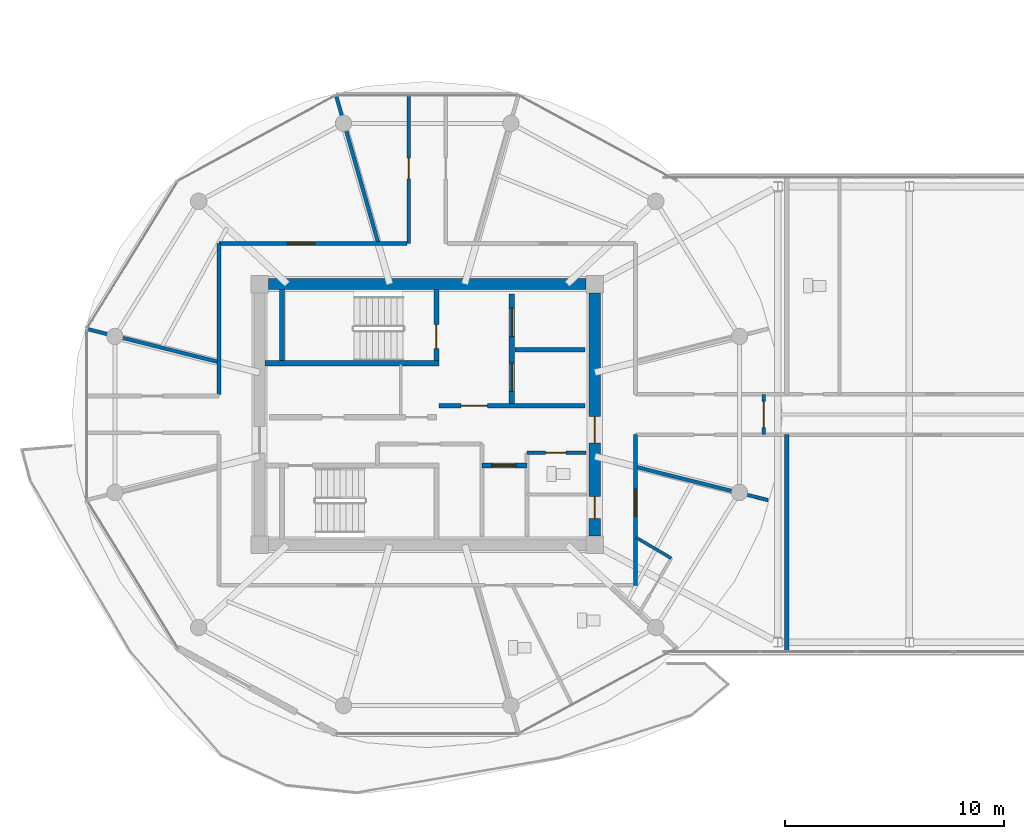
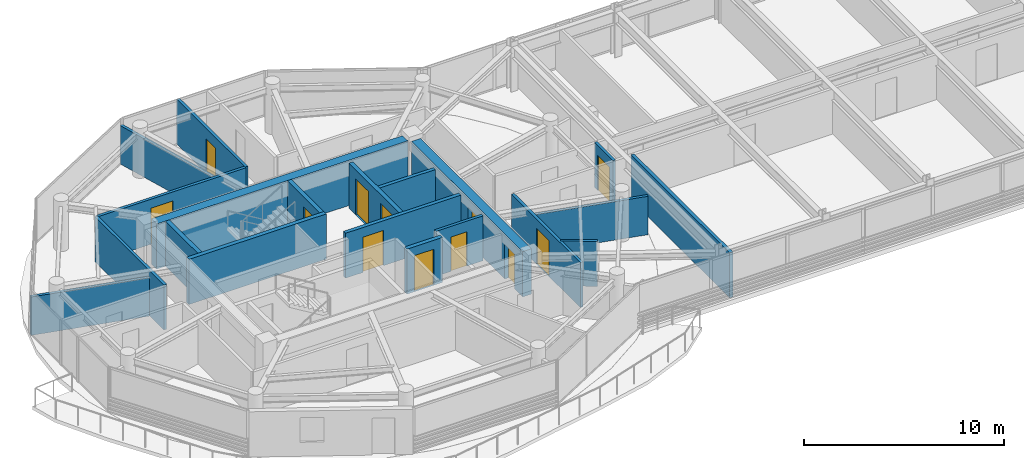
# One storey, part 15 of 24: 20 walls, 12 doors, 12 openings.
"""IFC4 building model written with IfcOpenShell, lengths in metres."""

from ifc_helpers import new_model, si_unit, direction, frame, frame_2d, origin, place, context, subcontext, project, spatial, rectangle, extrude, source, transform, mapped, material, layer, layer_set, type_object, type_shapes, element, fill, save


model = new_model("IFC4")

# Units and contexts
model_context = context("Model", 3, precision=1e-05, world=origin(), true_north=direction((0.0, 1.0)))
body_context = subcontext(model_context, "Body", "Model", "MODEL_VIEW")
ifc_project = project(units=[si_unit("LENGTHUNIT", "METRE"), si_unit("AREAUNIT", "SQUARE_METRE"), si_unit("VOLUMEUNIT", "CUBIC_METRE"), si_unit("PLANEANGLEUNIT", "RADIAN"), si_unit("MASSUNIT", "GRAM", prefix="KILO")], contexts=[model_context])

# Site, building, storey
site_placement = place(None, origin())
site = spatial("IfcSite", under=ifc_project, at=site_placement, CompositionType="ELEMENT")
building_placement = place(site_placement, origin())
building = spatial("IfcBuilding", under=site, at=building_placement, Name="Norrkilde Senior Care Towers", CompositionType="ELEMENT")
storey_placement = place(building_placement, frame((0.0, 0.0, 226.10009765625)))
storey = spatial("IfcBuildingStorey", under=building, at=storey_placement, Name="L70", CompositionType="ELEMENT", Elevation=226.10009765625)

# Wall
ifc_material_1 = material(Name="Concrete C50/60", Category="concrete")
ifc_layer_1 = layer(ifc_material_1, 0.52001953125)
ifc_layer_set_1 = layer_set([ifc_layer_1], Name="Concrete C50/60")
wall_type_1 = type_object("IfcWallType", Name="Core Shear Wall Z4 520", PredefinedType="SHEAR", material=ifc_layer_set_1)
shared_shape_1 = source(origin(), body_context, "Body", "SweptSolid", [
    extrude(rectangle(XDim=14.5, YDim=0.52001953125, at=frame_2d((7.25, 0.0))), origin(), (0.0, 0.0, 1.0), 2.760009765625),
])
wall_1_placement = place(storey_placement, frame((-35.25, 5.949951171875, 0.0), z_axis=(0.0, 0.0, 1.0), x_axis=(1.0, 0.0, 0.0)))
element("IfcWall", 1, at=wall_1_placement, inside=storey, type_object=wall_type_1, Name="L70 Core W North Shear Wall", PredefinedType="SHEAR", context=body_context, shape_type="MappedRepresentation", body=[
    mapped(shared_shape_1, transform((0.0, 0.0, 0.0), x_axis=(1.0, 0.0, 0.0), y_axis=(0.0, 1.0, 0.0), z_axis=(0.0, 0.0, 1.0), scale=1.0)),
])

# Wall, openings, doors
shared_shape_2 = source(origin(), body_context, "Body", "SweptSolid", [
    extrude(rectangle(XDim=11.10009765625, YDim=0.52001953125, at=frame_2d((5.550048828125, 0.0))), origin(), (0.0, 0.0, 1.0), 2.760009765625),
])
type_shapes(wall_type_1, [shared_shape_1, shared_shape_2])
wall_2_placement = place(storey_placement, frame((-20.35009765625, 5.550048828125, 0.0), z_axis=(0.0, 0.0, 1.0), x_axis=(0.0, -1.0, 0.0)))
wall_2 = element("IfcWall", 2, at=wall_2_placement, inside=storey, type_object=wall_type_1, Name="L70 Core W East Shear Wall", PredefinedType="SHEAR", context=body_context, shape_type="MappedRepresentation", body=[
    mapped(shared_shape_2, transform((0.0, 0.0, 0.0), x_axis=(1.0, 0.0, 0.0), y_axis=(0.0, 1.0, 0.0), z_axis=(0.0, 0.0, 1.0), scale=1.0)),
])
opening_1_placement = place(wall_2_placement, frame((5.64990234375, 0.0, 0.0)))
opening_1 = element("IfcOpeningElement", 3, at=opening_1_placement, cuts=wall_2, Name="Opening D-04", PredefinedType="OPENING", context=body_context, shape_type="SweptSolid", body=[
    extrude(rectangle(XDim=1.199951171875, YDim=2.14990234375, at=frame_2d((0.60009765625, 1.074951171875))), frame((0.0, 0.27001953125, 0.0), z_axis=(0.0, -1.0, 0.0), x_axis=(1.0, 0.0, 0.0)), (0.0, 0.0, 1.0), 0.5400390625),
])
opening_2_placement = place(wall_2_placement, frame((9.300048828125, 0.0, 0.0)))
opening_2 = element("IfcOpeningElement", 4, at=opening_2_placement, cuts=wall_2, Name="Opening D-10", PredefinedType="OPENING", context=body_context, shape_type="SweptSolid", body=[
    extrude(rectangle(XDim=1.0, YDim=2.10009765625, at=frame_2d((0.5, 1.050048828125))), frame((0.0, 0.27001953125, 0.0), z_axis=(0.0, -1.0, 0.0), x_axis=(1.0, 0.0, 0.0)), (0.0, 0.0, 1.0), 0.5400390625),
])
ifc_material_2 = material(Name="Galvanised Painted Steel", Category="steel")
door_type_1 = type_object("IfcDoorType", Name="Firefighting Lobby Fire Door 1200x2150", OperationType="NOTDEFINED", PredefinedType="DOOR", material=ifc_material_2)
shared_shape_3 = source(origin(), body_context, "Body", "SweptSolid", [
    extrude(rectangle(XDim=1.199951171875, YDim=2.14990234375, at=frame_2d((0.60009765625, 1.074951171875))), frame((0.0, 0.02490234375, 0.0), z_axis=(0.0, -1.0, 0.0), x_axis=(1.0, 0.0, 0.0)), (0.0, 0.0, 1.0), 0.050048828125),
])
type_shapes(door_type_1, [shared_shape_3])
door_1_placement = place(opening_1_placement, frame((1.199951171875, 0.0, 0.0), z_axis=(0.0, 0.0, 1.0), x_axis=(-1.0, 0.0, 0.0)))
door_1 = element("IfcDoor", 5, at=door_1_placement, inside=storey, type_object=door_type_1, Name="L70 Core W East Portal Door", OperationType="SINGLE_SWING_RIGHT", OverallHeight=2.14990234375, OverallWidth=1.199951171875, PredefinedType="DOOR", context=body_context, shape_type="MappedRepresentation", body=[
    mapped(shared_shape_3, transform((0.0, 0.0, 0.0), x_axis=(1.0, 0.0, 0.0), y_axis=(0.0, 1.0, 0.0), z_axis=(0.0, 0.0, 1.0), scale=1.0)),
])
fill(opening_1, door_1)
door_type_2 = type_object("IfcDoorType", Name="Plant and Riser Rated Door 1000x2100", OperationType="NOTDEFINED", PredefinedType="DOOR", material=ifc_material_2)
shared_shape_4 = source(origin(), body_context, "Body", "SweptSolid", [
    extrude(rectangle(XDim=1.0, YDim=2.10009765625, at=frame_2d((0.5, 1.050048828125))), frame((0.0, 0.02490234375, 0.0), z_axis=(0.0, -1.0, 0.0), x_axis=(1.0, 0.0, 0.0)), (0.0, 0.0, 1.0), 0.050048828125),
])
type_shapes(door_type_2, [shared_shape_4])
door_2_placement = place(opening_2_placement, frame((1.0, 0.0, 0.0), z_axis=(0.0, 0.0, 1.0), x_axis=(-1.0, 0.0, 0.0)))
door_2 = element("IfcDoor", 6, at=door_2_placement, inside=storey, type_object=door_type_2, Name="L70 Ventilation Riser W Door", OperationType="SINGLE_SWING_RIGHT", OverallHeight=2.10009765625, OverallWidth=1.0, PredefinedType="DOOR", context=body_context, shape_type="MappedRepresentation", body=[
    mapped(shared_shape_4, transform((0.0, 0.0, 0.0), x_axis=(1.0, 0.0, 0.0), y_axis=(0.0, 1.0, 0.0), z_axis=(0.0, 0.0, 1.0), scale=1.0)),
])
fill(opening_2, door_2)

# Walls
ifc_material_3 = material(Name="Concrete C45/55", Category="concrete")
ifc_layer_2 = layer(ifc_material_3, 0.239990234375)
ifc_layer_set_2 = layer_set([ifc_layer_2], Name="Concrete C45/55")
wall_type_2 = type_object("IfcWallType", Name="Shaft and Stair Enclosure Wall 240", PredefinedType="PARTITIONING", material=ifc_layer_set_2)
shared_shape_5 = source(origin(), body_context, "Body", "SweptSolid", [
    extrude(rectangle(XDim=7.929931640625, YDim=0.239990234375, at=frame_2d((3.96484375, 0.0))), origin(), (0.0, 0.0, 1.0), 2.760009765625),
])
wall_3_placement = place(storey_placement, frame((-35.389892578125, 2.330078125, 0.0), z_axis=(0.0, 0.0, 1.0), x_axis=(1.0, 0.0, 0.0)))
element("IfcWall", 7, at=wall_3_placement, inside=storey, type_object=wall_type_2, Name="WL-INT-L70-W-ST1S", PredefinedType="PARTITIONING", context=body_context, shape_type="MappedRepresentation", body=[
    mapped(shared_shape_5, transform((0.0, 0.0, 0.0), x_axis=(1.0, 0.0, 0.0), y_axis=(0.0, 1.0, 0.0), z_axis=(0.0, 0.0, 1.0), scale=1.0)),
])
shared_shape_6 = source(origin(), body_context, "Body", "SweptSolid", [
    extrude(rectangle(XDim=3.239990234375, YDim=0.239990234375, at=frame_2d((1.6201171875, 0.0))), origin(), (0.0, 0.0, 1.0), 2.760009765625),
])
type_shapes(wall_type_2, [shared_shape_5, shared_shape_6])
wall_4_placement = place(storey_placement, frame((-34.6201171875, 2.449951171875, 0.0), z_axis=(0.0, 0.0, 1.0), x_axis=(0.0, 1.0, 0.0)))
element("IfcWall", 8, at=wall_4_placement, inside=storey, type_object=wall_type_2, Name="WL-INT-L70-W-ST1W", PredefinedType="PARTITIONING", context=body_context, shape_type="MappedRepresentation", body=[
    mapped(shared_shape_6, transform((0.0, 0.0, 0.0), x_axis=(1.0, 0.0, 0.0), y_axis=(0.0, 1.0, 0.0), z_axis=(0.0, 0.0, 1.0), scale=1.0)),
])

# Wall, opening, door
wall_5_placement = place(storey_placement, frame((-27.580078125, 2.449951171875, 0.0), z_axis=(0.0, 0.0, 1.0), x_axis=(0.0, 1.0, 0.0)))
wall_5 = element("IfcWall", 9, at=wall_5_placement, inside=storey, type_object=wall_type_2, Name="WL-INT-L70-W-ST1E", PredefinedType="PARTITIONING", context=body_context, shape_type="MappedRepresentation", body=[
    mapped(shared_shape_6, transform((0.0, 0.0, 0.0), x_axis=(1.0, 0.0, 0.0), y_axis=(0.0, 1.0, 0.0), z_axis=(0.0, 0.0, 1.0), scale=1.0)),
])
opening_3_placement = place(wall_5_placement, frame((0.550048828125, 0.0, 0.0)))
opening_3 = element("IfcOpeningElement", 10, at=opening_3_placement, cuts=wall_5, Name="Opening D-03", PredefinedType="OPENING", context=body_context, shape_type="SweptSolid", body=[
    extrude(rectangle(XDim=1.10009765625, YDim=2.14990234375, at=frame_2d((0.550048828125, 1.074951171875))), frame((0.0, 0.1298828125, 0.0), z_axis=(0.0, -1.0, 0.0), x_axis=(1.0, 0.0, 0.0)), (0.0, 0.0, 1.0), 0.260009765625),
])
door_type_3 = type_object("IfcDoorType", Name="Stairwell Protected Fire Door 1100x2150", OperationType="NOTDEFINED", PredefinedType="DOOR", material=ifc_material_2)
shared_shape_7 = source(origin(), body_context, "Body", "SweptSolid", [
    extrude(rectangle(XDim=1.10009765625, YDim=2.14990234375, at=frame_2d((0.550048828125, 1.074951171875))), frame((0.0, 0.02490234375, 0.0), z_axis=(0.0, -1.0, 0.0), x_axis=(1.0, 0.0, 0.0)), (0.0, 0.0, 1.0), 0.050048828125),
])
type_shapes(door_type_3, [shared_shape_7])
door_3_placement = place(opening_3_placement, origin())
door_3 = element("IfcDoor", 11, at=door_3_placement, inside=storey, type_object=door_type_3, Name="L70 Stair W1 Fire Door", OperationType="SINGLE_SWING_LEFT", OverallHeight=2.14990234375, OverallWidth=1.10009765625, PredefinedType="DOOR", context=body_context, shape_type="MappedRepresentation", body=[
    mapped(shared_shape_7, transform((0.0, 0.0, 0.0), x_axis=(1.0, 0.0, 0.0), y_axis=(0.0, 1.0, 0.0), z_axis=(0.0, 0.0, 1.0), scale=1.0)),
])
fill(opening_3, door_3)

# Walls
ifc_material_4 = material(Name="Gypsum Acoustic Board")
ifc_layer_3 = layer(ifc_material_4, 0.1650390625)
ifc_layer_set_3 = layer_set([ifc_layer_3], Name="Gypsum Acoustic Board")
wall_type_3 = type_object("IfcWallType", Name="Corridor Rated Partition 165", PredefinedType="PARTITIONING", material=ifc_layer_set_3)
shared_shape_8 = source(origin(), body_context, "Body", "SweptSolid", [
    extrude(rectangle(XDim=6.973876953125, YDim=0.1650390625, at=frame_2d((3.48681640625, 0.0))), origin(), (0.0, 0.0, 1.0), 2.344970703125),
])
wall_6_placement = place(storey_placement, frame((-30.251220703125, 7.8798828125, 0.0), z_axis=(0.0, 0.0, 1.0), x_axis=(-0.274707256801, 0.961527910703, 0.0)))
element("IfcWall", 12, at=wall_6_placement, inside=storey, type_object=wall_type_3, Name="WL-INT-L70-W-DEM-03-0", PredefinedType="PARTITIONING", context=body_context, shape_type="MappedRepresentation", body=[
    mapped(shared_shape_8, transform((0.0, 0.0, 0.0), x_axis=(1.0, 0.0, 0.0), y_axis=(0.0, 1.0, 0.0), z_axis=(0.0, 0.0, 1.0), scale=1.0)),
])
shared_shape_9 = source(origin(), body_context, "Body", "SweptSolid", [
    extrude(rectangle(XDim=6.1572265625, YDim=0.1650390625, at=frame_2d((3.07861328125, 0.0))), origin(), (0.0, 0.0, 1.0), 2.344970703125),
])
for number, where, z_axis, x_axis, name in (
    (13, (-37.580078125, 2.407470703125, 0.0), (0.0, 0.0, 1.0), (-0.969840867184, 0.243738984038, 0.0), "WL-INT-L70-W-DEM-05-0"),
    (14, (-18.419921875, -2.407470703125, 0.0), (0.0, 0.0, 1.0), (0.969840867184, -0.243738984038, 0.0), "WL-INT-L70-W-DEM-11-0"),
):
    element("IfcWall", number, at=place(storey_placement, frame(where, z_axis=z_axis, x_axis=x_axis)), inside=storey, type_object=wall_type_3, Name=name, PredefinedType="PARTITIONING", context=body_context, shape_type="MappedRepresentation", body=[
        mapped(shared_shape_9, transform((0.0, 0.0, 0.0), x_axis=(1.0, 0.0, 0.0), y_axis=(0.0, 1.0, 0.0), z_axis=(0.0, 0.0, 1.0), scale=1.0)),
    ])

# Wall, openings, doors
ifc_layer_4 = layer(ifc_material_3, 0.239990234375)
ifc_layer_set_4 = layer_set([ifc_layer_4], Name="Concrete C45/55")
wall_type_4 = type_object("IfcWallType", Name="Lift and Plant Rated Enclosure Partition 240", PredefinedType="PARTITIONING", material=ifc_layer_set_4)
shared_shape_10 = source(origin(), body_context, "Body", "SweptSolid", [
    extrude(rectangle(XDim=5.0, YDim=0.239990234375, at=frame_2d((2.5, 0.0))), origin(), (0.0, 0.0, 1.0), 2.744873046875),
])
wall_7_placement = place(storey_placement, frame((-24.139892578125, 0.5, 0.0), z_axis=(0.0, 0.0, 1.0), x_axis=(0.0, 1.0, 0.0)))
wall_7 = element("IfcWall", 15, at=wall_7_placement, inside=storey, type_object=wall_type_4, Name="WL-INT-L70-W-FFLE", PredefinedType="PARTITIONING", context=body_context, shape_type="MappedRepresentation", body=[
    mapped(shared_shape_10, transform((0.0, 0.0, 0.0), x_axis=(1.0, 0.0, 0.0), y_axis=(0.0, 1.0, 0.0), z_axis=(0.0, 0.0, 1.0), scale=1.0)),
])
opening_4_placement = place(wall_7_placement, frame((3.050048828125, 0.0, 0.0)))
opening_4 = element("IfcOpeningElement", 16, at=opening_4_placement, cuts=wall_7, Name="Opening LD-02", PredefinedType="OPENING", context=body_context, shape_type="SweptSolid", body=[
    extrude(rectangle(XDim=1.300048828125, YDim=2.199951171875, at=frame_2d((0.64990234375, 1.10009765625))), frame((0.0, 0.1298828125, 0.0), z_axis=(0.0, -1.0, 0.0), x_axis=(1.0, 0.0, 0.0)), (0.0, 0.0, 1.0), 0.260009765625),
])
opening_5_placement = place(wall_7_placement, frame((0.550048828125, 0.0, 0.0)))
opening_5 = element("IfcOpeningElement", 17, at=opening_5_placement, cuts=wall_7, Name="Opening LD-02", PredefinedType="OPENING", context=body_context, shape_type="SweptSolid", body=[
    extrude(rectangle(XDim=1.300048828125, YDim=2.199951171875, at=frame_2d((0.64990234375, 1.10009765625))), frame((0.0, 0.1298828125, 0.0), z_axis=(0.0, -1.0, 0.0), x_axis=(1.0, 0.0, 0.0)), (0.0, 0.0, 1.0), 0.260009765625),
])
ifc_material_5 = material(Name="Stainless Steel", Category="steel")
door_type_4 = type_object("IfcDoorType", Name="Stretcher and FFL Landing Sliding Door 1300x2200", OperationType="NOTDEFINED", PredefinedType="DOOR", material=ifc_material_5)
shared_shape_11 = source(origin(), body_context, "Body", "SweptSolid", [
    extrude(rectangle(XDim=1.300048828125, YDim=2.199951171875, at=frame_2d((0.64990234375, 1.10009765625))), frame((0.0, 0.02490234375, 0.0), z_axis=(0.0, -1.0, 0.0), x_axis=(1.0, 0.0, 0.0)), (0.0, 0.0, 1.0), 0.050048828125),
])
type_shapes(door_type_4, [shared_shape_11])
door_4_placement = place(opening_4_placement, origin())
door_4 = element("IfcDoor", 18, at=door_4_placement, inside=storey, type_object=door_type_4, Name="L70 Firefighting Lift W1 Landing Door", OperationType="SLIDING_TO_LEFT", OverallHeight=2.199951171875, OverallWidth=1.300048828125, PredefinedType="DOOR", context=body_context, shape_type="MappedRepresentation", body=[
    mapped(shared_shape_11, transform((0.0, 0.0, 0.0), x_axis=(1.0, 0.0, 0.0), y_axis=(0.0, 1.0, 0.0), z_axis=(0.0, 0.0, 1.0), scale=1.0)),
])
fill(opening_4, door_4)
door_5_placement = place(opening_5_placement, origin())
door_5 = element("IfcDoor", 19, at=door_5_placement, inside=storey, type_object=door_type_4, Name="L70 Stretcher Lift W1 Landing Door", OperationType="SLIDING_TO_RIGHT", OverallHeight=2.199951171875, OverallWidth=1.300048828125, PredefinedType="DOOR", context=body_context, shape_type="MappedRepresentation", body=[
    mapped(shared_shape_11, transform((0.0, 0.0, 0.0), x_axis=(1.0, 0.0, 0.0), y_axis=(0.0, 1.0, 0.0), z_axis=(0.0, 0.0, 1.0), scale=1.0)),
])
fill(opening_5, door_5)

# Wall
ifc_layer_5 = layer(ifc_material_3, 0.199951171875)
ifc_layer_set_5 = layer_set([ifc_layer_5], Name="Concrete C45/55")
wall_type_5 = type_object("IfcWallType", Name="Shaft Division and Plant Partition 200", PredefinedType="PARTITIONING", material=ifc_layer_set_5)
shared_shape_12 = source(origin(), body_context, "Body", "SweptSolid", [
    extrude(rectangle(XDim=3.199951171875, YDim=0.199951171875, at=frame_2d((1.60009765625, 0.0))), origin(), (0.0, 0.0, 1.0), 2.744873046875),
])
type_shapes(wall_type_5, [shared_shape_12])
wall_8_placement = place(storey_placement, frame((-24.0, 2.949951171875, 0.0), z_axis=(0.0, 0.0, 1.0), x_axis=(1.0, 0.0, 0.0)))
element("IfcWall", 20, at=wall_8_placement, inside=storey, type_object=wall_type_5, Name="WL-INT-L70-W-FFLDIV", PredefinedType="PARTITIONING", context=body_context, shape_type="MappedRepresentation", body=[
    mapped(shared_shape_12, transform((0.0, 0.0, 0.0), x_axis=(1.0, 0.0, 0.0), y_axis=(0.0, 1.0, 0.0), z_axis=(0.0, 0.0, 1.0), scale=1.0)),
])

# Wall, opening, door
ifc_layer_6 = layer(ifc_material_3, 0.2099609375)
ifc_layer_set_6 = layer_set([ifc_layer_6], Name="Concrete C45/55")
wall_type_6 = type_object("IfcWallType", Name="Firefighting Lobby Wall 210", PredefinedType="PARTITIONING", material=ifc_layer_set_6)
shared_shape_13 = source(origin(), body_context, "Body", "SweptSolid", [
    extrude(rectangle(XDim=6.659912109375, YDim=0.2099609375, at=frame_2d((3.330078125, 0.0))), origin(), (0.0, 0.0, 1.0), 2.744873046875),
])
type_shapes(wall_type_6, [shared_shape_13])
wall_9_placement = place(storey_placement, frame((-27.4599609375, 0.389892578125, 0.0), z_axis=(0.0, 0.0, 1.0), x_axis=(1.0, 0.0, 0.0)))
wall_9 = element("IfcWall", 21, at=wall_9_placement, inside=storey, type_object=wall_type_6, Name="WL-INT-L70-W-FFLS", PredefinedType="PARTITIONING", context=body_context, shape_type="MappedRepresentation", body=[
    mapped(shared_shape_13, transform((0.0, 0.0, 0.0), x_axis=(1.0, 0.0, 0.0), y_axis=(0.0, 1.0, 0.0), z_axis=(0.0, 0.0, 1.0), scale=1.0)),
])
opening_6_placement = place(wall_9_placement, frame((1.0, 0.0, 0.0)))
opening_6 = element("IfcOpeningElement", 22, at=opening_6_placement, cuts=wall_9, Name="Opening D-04", PredefinedType="OPENING", context=body_context, shape_type="SweptSolid", body=[
    extrude(rectangle(XDim=1.199951171875, YDim=2.14990234375, at=frame_2d((0.60009765625, 1.074951171875))), frame((0.0, 0.114990234375, 0.0), z_axis=(0.0, -1.0, 0.0), x_axis=(1.0, 0.0, 0.0)), (0.0, 0.0, 1.0), 0.22998046875),
])
door_6_placement = place(opening_6_placement, frame((1.199951171875, 0.0, 0.0), z_axis=(0.0, 0.0, 1.0), x_axis=(-1.0, 0.0, 0.0)))
door_6 = element("IfcDoor", 23, at=door_6_placement, inside=storey, type_object=door_type_1, Name="L70 Firefighting Lobby W Door", OperationType="SINGLE_SWING_LEFT", OverallHeight=2.14990234375, OverallWidth=1.199951171875, PredefinedType="DOOR", context=body_context, shape_type="MappedRepresentation", body=[
    mapped(shared_shape_3, transform((0.0, 0.0, 0.0), x_axis=(1.0, 0.0, 0.0), y_axis=(0.0, 1.0, 0.0), z_axis=(0.0, 0.0, 1.0), scale=1.0)),
])
fill(opening_6, door_6)

shared_shape_14 = source(origin(), body_context, "Body", "SweptSolid", [
    extrude(rectangle(XDim=2.050048828125, YDim=0.239990234375, at=frame_2d((1.02490234375, 0.0))), origin(), (0.0, 0.0, 1.0), 2.744873046875),
])
type_shapes(wall_type_4, [shared_shape_10, shared_shape_14])
wall_10_placement = place(storey_placement, frame((-25.5, -2.330078125, 0.0), z_axis=(0.0, 0.0, 1.0), x_axis=(1.0, 0.0, 0.0)))
wall_10 = element("IfcWall", 24, at=wall_10_placement, inside=storey, type_object=wall_type_4, Name="WL-INT-L70-W-PL4N", PredefinedType="PARTITIONING", context=body_context, shape_type="MappedRepresentation", body=[
    mapped(shared_shape_14, transform((0.0, 0.0, 0.0), x_axis=(1.0, 0.0, 0.0), y_axis=(0.0, 1.0, 0.0), z_axis=(0.0, 0.0, 1.0), scale=1.0)),
])
opening_7_placement = place(wall_10_placement, frame((0.449951171875, 0.0, 0.0)))
opening_7 = element("IfcOpeningElement", 25, at=opening_7_placement, cuts=wall_10, Name="Opening LD-01", PredefinedType="OPENING", context=body_context, shape_type="SweptSolid", body=[
    extrude(rectangle(XDim=1.10009765625, YDim=2.199951171875, at=frame_2d((0.550048828125, 1.10009765625))), frame((0.0, 0.1298828125, 0.0), z_axis=(0.0, -1.0, 0.0), x_axis=(1.0, 0.0, 0.0)), (0.0, 0.0, 1.0), 0.260009765625),
])
door_type_5 = type_object("IfcDoorType", Name="Lift Landing Sliding Door 1100x2200", OperationType="NOTDEFINED", PredefinedType="DOOR", material=ifc_material_5)
shared_shape_15 = source(origin(), body_context, "Body", "SweptSolid", [
    extrude(rectangle(XDim=1.10009765625, YDim=2.199951171875, at=frame_2d((0.550048828125, 1.10009765625))), frame((0.0, 0.02490234375, 0.0), z_axis=(0.0, -1.0, 0.0), x_axis=(1.0, 0.0, 0.0)), (0.0, 0.0, 1.0), 0.050048828125),
])
type_shapes(door_type_5, [shared_shape_15])
door_7_placement = place(opening_7_placement, frame((1.10009765625, 0.0, 0.0), z_axis=(0.0, 0.0, 1.0), x_axis=(-1.0, 0.0, 0.0)))
door_7 = element("IfcDoor", 26, at=door_7_placement, inside=storey, type_object=door_type_5, Name="L70 Passenger Lift W4 Landing Door", OperationType="SLIDING_TO_RIGHT", OverallHeight=2.199951171875, OverallWidth=1.10009765625, PredefinedType="DOOR", context=body_context, shape_type="MappedRepresentation", body=[
    mapped(shared_shape_15, transform((0.0, 0.0, 0.0), x_axis=(1.0, 0.0, 0.0), y_axis=(0.0, 1.0, 0.0), z_axis=(0.0, 0.0, 1.0), scale=1.0)),
])
fill(opening_7, door_7)

shared_shape_16 = source(origin(), body_context, "Body", "SweptSolid", [
    extrude(rectangle(XDim=2.699951171875, YDim=0.1650390625, at=frame_2d((1.35009765625, 0.0))), origin(), (0.0, 0.0, 1.0), 2.744873046875),
])
wall_11_placement = place(storey_placement, frame((-23.449951171875, -1.75, 0.0), z_axis=(0.0, 0.0, 1.0), x_axis=(1.0, 0.0, 0.0)))
wall_11 = element("IfcWall", 27, at=wall_11_placement, inside=storey, type_object=wall_type_3, Name="WL-INT-L70-W-CSN", PredefinedType="PARTITIONING", context=body_context, shape_type="MappedRepresentation", body=[
    mapped(shared_shape_16, transform((0.0, 0.0, 0.0), x_axis=(1.0, 0.0, 0.0), y_axis=(0.0, 1.0, 0.0), z_axis=(0.0, 0.0, 1.0), scale=1.0)),
])
opening_8_placement = place(wall_11_placement, frame((0.85009765625, 0.0, 0.0)))
opening_8 = element("IfcOpeningElement", 28, at=opening_8_placement, cuts=wall_11, Name="Opening D-12", PredefinedType="OPENING", context=body_context, shape_type="SweptSolid", body=[
    extrude(rectangle(XDim=0.925048828125, YDim=2.10009765625, at=frame_2d((0.46240234375, 1.050048828125))), frame((0.0, 0.092529296875, 0.0), z_axis=(0.0, -1.0, 0.0), x_axis=(1.0, 0.0, 0.0)), (0.0, 0.0, 1.0), 0.18505859375),
])
door_type_6 = type_object("IfcDoorType", Name="Core Wet Room Rated Door 925x2100", OperationType="NOTDEFINED", PredefinedType="DOOR", material=ifc_material_2)
shared_shape_17 = source(origin(), body_context, "Body", "SweptSolid", [
    extrude(rectangle(XDim=0.925048828125, YDim=2.10009765625, at=frame_2d((0.46240234375, 1.050048828125))), frame((0.0, 0.02490234375, 0.0), z_axis=(0.0, -1.0, 0.0), x_axis=(1.0, 0.0, 0.0)), (0.0, 0.0, 1.0), 0.050048828125),
])
type_shapes(door_type_6, [shared_shape_17])
door_8_placement = place(opening_8_placement, origin())
door_8 = element("IfcDoor", 29, at=door_8_placement, inside=storey, type_object=door_type_6, Name="L70 Staff WC W Door", OperationType="SINGLE_SWING_LEFT", OverallHeight=2.10009765625, OverallWidth=0.925048828125, PredefinedType="DOOR", context=body_context, shape_type="MappedRepresentation", body=[
    mapped(shared_shape_17, transform((0.0, 0.0, 0.0), x_axis=(1.0, 0.0, 0.0), y_axis=(0.0, 1.0, 0.0), z_axis=(0.0, 0.0, 1.0), scale=1.0)),
])
fill(opening_8, door_8)

shared_shape_18 = source(origin(), body_context, "Body", "SweptSolid", [
    extrude(rectangle(XDim=8.580078125, YDim=0.1650390625, at=frame_2d((4.2900390625, 0.0))), origin(), (0.0, 0.0, 1.0), 2.744873046875),
])
wall_12_placement = place(storey_placement, frame((-37.5, 7.800048828125, 0.0), z_axis=(0.0, 0.0, 1.0), x_axis=(1.0, 0.0, 0.0)))
wall_12 = element("IfcWall", 30, at=wall_12_placement, inside=storey, type_object=wall_type_3, Name="WL-INT-L70-W-CRW-N-0", PredefinedType="PARTITIONING", context=body_context, shape_type="MappedRepresentation", body=[
    mapped(shared_shape_18, transform((0.0, 0.0, 0.0), x_axis=(1.0, 0.0, 0.0), y_axis=(0.0, 1.0, 0.0), z_axis=(0.0, 0.0, 1.0), scale=1.0)),
])
opening_9_placement = place(wall_12_placement, frame((3.110107421875, 0.0, 0.0)))
opening_9 = element("IfcOpeningElement", 31, at=opening_9_placement, cuts=wall_12, Name="Opening D-05", PredefinedType="OPENING", context=body_context, shape_type="SweptSolid", body=[
    extrude(rectangle(XDim=1.25, YDim=2.199951171875, at=frame_2d((0.625, 1.10009765625))), frame((0.0, 0.092529296875, 0.0), z_axis=(0.0, -1.0, 0.0), x_axis=(1.0, 0.0, 0.0)), (0.0, 0.0, 1.0), 0.18505859375),
])
ifc_material_6 = material(Name="Nordic Ash Timber", Category="wood")
door_type_7 = type_object("IfcDoorType", Name="Care Bedroom Bariatric Door 1250x2200", OperationType="NOTDEFINED", PredefinedType="DOOR", material=ifc_material_6)
shared_shape_19 = source(origin(), body_context, "Body", "SweptSolid", [
    extrude(rectangle(XDim=1.25, YDim=2.199951171875, at=frame_2d((0.625, 1.10009765625))), frame((0.0, 0.02490234375, 0.0), z_axis=(0.0, -1.0, 0.0), x_axis=(1.0, 0.0, 0.0)), (0.0, 0.0, 1.0), 0.050048828125),
])
type_shapes(door_type_7, [shared_shape_19])
door_9_placement = place(opening_9_placement, frame((1.25, 0.0, 0.0), z_axis=(0.0, 0.0, 1.0), x_axis=(-1.0, 0.0, 0.0)))
door_9 = element("IfcDoor", 32, at=door_9_placement, inside=storey, type_object=door_type_7, Name="L70 Geriatric Rehabilitation Clinic Door", OperationType="SINGLE_SWING_RIGHT", OverallHeight=2.199951171875, OverallWidth=1.25, PredefinedType="DOOR", context=body_context, shape_type="MappedRepresentation", body=[
    mapped(shared_shape_19, transform((0.0, 0.0, 0.0), x_axis=(1.0, 0.0, 0.0), y_axis=(0.0, 1.0, 0.0), z_axis=(0.0, 0.0, 1.0), scale=1.0)),
])
fill(opening_9, door_9)

# Wall
shared_shape_20 = source(origin(), body_context, "Body", "SweptSolid", [
    extrude(rectangle(XDim=6.880126953125, YDim=0.1650390625, at=frame_2d((3.43994140625, 0.0))), origin(), (0.0, 0.0, 1.0), 2.744873046875),
])
wall_13_placement = place(storey_placement, frame((-37.5, 0.919921875, 0.0), z_axis=(0.0, 0.0, 1.0), x_axis=(0.0, 1.0, 0.0)))
element("IfcWall", 33, at=wall_13_placement, inside=storey, type_object=wall_type_3, Name="WL-INT-L70-W-CRW-W-1", PredefinedType="PARTITIONING", context=body_context, shape_type="MappedRepresentation", body=[
    mapped(shared_shape_20, transform((0.0, 0.0, 0.0), x_axis=(1.0, 0.0, 0.0), y_axis=(0.0, 1.0, 0.0), z_axis=(0.0, 0.0, 1.0), scale=1.0)),
])

# Wall, opening, door
wall_14_placement = place(storey_placement, frame((-18.5, -0.919921875, 0.0), z_axis=(0.0, 0.0, 1.0), x_axis=(0.0, -1.0, 0.0)))
wall_14 = element("IfcWall", 34, at=wall_14_placement, inside=storey, type_object=wall_type_3, Name="WL-INT-L70-W-CRW-E-1", PredefinedType="PARTITIONING", context=body_context, shape_type="MappedRepresentation", body=[
    mapped(shared_shape_20, transform((0.0, 0.0, 0.0), x_axis=(1.0, 0.0, 0.0), y_axis=(0.0, 1.0, 0.0), z_axis=(0.0, 0.0, 1.0), scale=1.0)),
])
opening_10_placement = place(wall_14_placement, frame((2.48583984375, 0.0, 0.0)))
opening_10 = element("IfcOpeningElement", 35, at=opening_10_placement, cuts=wall_14, Name="Opening D-05", PredefinedType="OPENING", context=body_context, shape_type="SweptSolid", body=[
    extrude(rectangle(XDim=1.25, YDim=2.199951171875, at=frame_2d((0.625, 1.10009765625))), frame((0.0, 0.092529296875, 0.0), z_axis=(0.0, -1.0, 0.0), x_axis=(1.0, 0.0, 0.0)), (0.0, 0.0, 1.0), 0.18505859375),
])
door_10_placement = place(opening_10_placement, frame((1.25, 0.0, 0.0), z_axis=(0.0, 0.0, 1.0), x_axis=(-1.0, 0.0, 0.0)))
door_10 = element("IfcDoor", 36, at=door_10_placement, inside=storey, type_object=door_type_7, Name="L70 Care Suite 7010 Entrance Door", OperationType="SINGLE_SWING_LEFT", OverallHeight=2.199951171875, OverallWidth=1.25, PredefinedType="DOOR", context=body_context, shape_type="MappedRepresentation", body=[
    mapped(shared_shape_19, transform((0.0, 0.0, 0.0), x_axis=(1.0, 0.0, 0.0), y_axis=(0.0, 1.0, 0.0), z_axis=(0.0, 0.0, 1.0), scale=1.0)),
])
fill(opening_10, door_10)

shared_shape_21 = source(origin(), body_context, "Body", "SweptSolid", [
    extrude(rectangle(XDim=6.83544921875, YDim=0.1650390625, at=frame_2d((3.417724609375, 0.0))), origin(), (0.0, 0.0, 1.0), 2.744873046875),
])
wall_15_placement = place(storey_placement, frame((-28.840087890625, 7.800048828125, 0.0), z_axis=(0.0, 0.0, 1.0), x_axis=(0.0, 1.0, 0.0)))
wall_15 = element("IfcWall", 37, at=wall_15_placement, inside=storey, type_object=wall_type_3, Name="WL-INT-L70-W-SPK-N1-0", PredefinedType="PARTITIONING", context=body_context, shape_type="MappedRepresentation", body=[
    mapped(shared_shape_21, transform((0.0, 0.0, 0.0), x_axis=(1.0, 0.0, 0.0), y_axis=(0.0, 1.0, 0.0), z_axis=(0.0, 0.0, 1.0), scale=1.0)),
])
opening_11_placement = place(wall_15_placement, frame((2.942626953125, 0.0, 0.0)))
opening_11 = element("IfcOpeningElement", 38, at=opening_11_placement, cuts=wall_15, Name="Opening D-07", PredefinedType="OPENING", context=body_context, shape_type="SweptSolid", body=[
    extrude(rectangle(XDim=0.949951171875, YDim=2.10009765625, at=frame_2d((0.47509765625, 1.050048828125))), frame((0.0, 0.092529296875, 0.0), z_axis=(0.0, -1.0, 0.0), x_axis=(1.0, 0.0, 0.0)), (0.0, 0.0, 1.0), 0.18505859375),
])
door_type_8 = type_object("IfcDoorType", Name="Internal Suite Bedroom Door 950x2100", OperationType="NOTDEFINED", PredefinedType="DOOR", material=ifc_material_6)
shared_shape_22 = source(origin(), body_context, "Body", "SweptSolid", [
    extrude(rectangle(XDim=0.949951171875, YDim=2.10009765625, at=frame_2d((0.47509765625, 1.050048828125))), frame((0.0, 0.02490234375, 0.0), z_axis=(0.0, -1.0, 0.0), x_axis=(1.0, 0.0, 0.0)), (0.0, 0.0, 1.0), 0.050048828125),
])
type_shapes(door_type_8, [shared_shape_22])
door_11_placement = place(opening_11_placement, frame((0.949951171875, 0.0, 0.0), z_axis=(0.0, 0.0, 1.0), x_axis=(-1.0, 0.0, 0.0)))
door_11 = element("IfcDoor", 39, at=door_11_placement, inside=storey, type_object=door_type_8, Name="L70 Sun Reading Lounge 3 Door", OperationType="SINGLE_SWING_RIGHT", OverallHeight=2.10009765625, OverallWidth=0.949951171875, PredefinedType="DOOR", context=body_context, shape_type="MappedRepresentation", body=[
    mapped(shared_shape_22, transform((0.0, 0.0, 0.0), x_axis=(1.0, 0.0, 0.0), y_axis=(0.0, 1.0, 0.0), z_axis=(0.0, 0.0, 1.0), scale=1.0)),
])
fill(opening_11, door_11)

shared_shape_23 = source(origin(), body_context, "Body", "SweptSolid", [
    extrude(rectangle(XDim=1.83984375, YDim=0.1650390625, at=frame_2d((0.919921875, 0.0))), origin(), (0.0, 0.0, 1.0), 2.744873046875),
])
type_shapes(wall_type_3, [shared_shape_8, shared_shape_9, shared_shape_16, shared_shape_18, shared_shape_20, shared_shape_21, shared_shape_23])
wall_16_placement = place(storey_placement, frame((-12.64990234375, -0.919921875, 0.0), z_axis=(0.0, 0.0, 1.0), x_axis=(0.0, 1.0, 0.0)))
wall_16 = element("IfcWall", 40, at=wall_16_placement, inside=storey, type_object=wall_type_3, Name="WL-INT-L70-BR-GW", PredefinedType="PARTITIONING", context=body_context, shape_type="MappedRepresentation", body=[
    mapped(shared_shape_23, transform((0.0, 0.0, 0.0), x_axis=(1.0, 0.0, 0.0), y_axis=(0.0, 1.0, 0.0), z_axis=(0.0, 0.0, 1.0), scale=1.0)),
])
opening_12_placement = place(wall_16_placement, frame((0.320068359375, 0.0, 0.0)))
opening_12 = element("IfcOpeningElement", 41, at=opening_12_placement, cuts=wall_16, Name="Opening D-04", PredefinedType="OPENING", context=body_context, shape_type="SweptSolid", body=[
    extrude(rectangle(XDim=1.199951171875, YDim=2.14990234375, at=frame_2d((0.60009765625, 1.074951171875))), frame((0.0, 0.092529296875, 0.0), z_axis=(0.0, -1.0, 0.0), x_axis=(1.0, 0.0, 0.0)), (0.0, 0.0, 1.0), 0.18505859375),
])
door_12_placement = place(opening_12_placement, frame((1.199951171875, 0.0, 0.0), z_axis=(0.0, 0.0, 1.0), x_axis=(-1.0, 0.0, 0.0)))
door_12 = element("IfcDoor", 42, at=door_12_placement, inside=storey, type_object=door_type_1, Name="L70 Sky-Gate Bridge GW Fire Door", OperationType="SINGLE_SWING_LEFT", OverallHeight=2.14990234375, OverallWidth=1.199951171875, PredefinedType="DOOR", context=body_context, shape_type="MappedRepresentation", body=[
    mapped(shared_shape_3, transform((0.0, 0.0, 0.0), x_axis=(1.0, 0.0, 0.0), y_axis=(0.0, 1.0, 0.0), z_axis=(0.0, 0.0, 1.0), scale=1.0)),
])
fill(opening_12, door_12)

# Walls
ifc_layer_7 = layer(ifc_material_4, 0.18994140625)
ifc_layer_set_7 = layer_set([ifc_layer_7], Name="Gypsum Acoustic Board")
wall_type_7 = type_object("IfcWallType", Name="Unit Demising Acoustic Wall 190", PredefinedType="PARTITIONING", material=ifc_layer_set_7)
shared_shape_24 = source(origin(), body_context, "Body", "SweptSolid", [
    extrude(rectangle(XDim=9.880126953125, YDim=0.18994140625, at=frame_2d((4.93994140625, 0.0))), origin(), (0.0, 0.0, 1.0), 2.744873046875),
])
type_shapes(wall_type_7, [shared_shape_24])
wall_17_placement = place(storey_placement, frame((-11.60009765625, -10.800048828125, 0.0), z_axis=(0.0, 0.0, 1.0), x_axis=(0.0, 1.0, 0.0)))
element("IfcWall", 43, at=wall_17_placement, inside=storey, type_object=wall_type_7, Name="WL-INT-L70-BR-ES-12", PredefinedType="PARTITIONING", context=body_context, shape_type="MappedRepresentation", body=[
    mapped(shared_shape_24, transform((0.0, 0.0, 0.0), x_axis=(1.0, 0.0, 0.0), y_axis=(0.0, 1.0, 0.0), z_axis=(0.0, 0.0, 1.0), scale=1.0)),
])
ifc_layer_8 = layer(ifc_material_4, 0.139892578125)
ifc_layer_set_8 = layer_set([ifc_layer_8], Name="Gypsum Acoustic Board")
wall_type_8 = type_object("IfcWallType", Name="En-suite Wet Room Wall 140", PredefinedType="PARTITIONING", material=ifc_layer_set_8)
shared_shape_25 = source(origin(), body_context, "Body", "SweptSolid", [
    extrude(rectangle(XDim=1.859130859375, YDim=0.139892578125, at=frame_2d((0.9296875, 0.0))), origin(), (0.0, 0.0, 1.0), 2.744873046875),
])
type_shapes(wall_type_8, [shared_shape_25])
wall_18_placement = place(storey_placement, frame((-18.469970703125, -5.615478515625, 0.0), z_axis=(0.0, 0.0, 1.0), x_axis=(0.861555897139, -0.507662718845, 0.0)))
element("IfcWall", 44, at=wall_18_placement, inside=storey, type_object=wall_type_8, Name="WL-INT-L70-W-ES-10", PredefinedType="PARTITIONING", context=body_context, shape_type="MappedRepresentation", body=[
    mapped(shared_shape_25, transform((0.0, 0.0, 0.0), x_axis=(1.0, 0.0, 0.0), y_axis=(0.0, 1.0, 0.0), z_axis=(0.0, 0.0, 1.0), scale=1.0)),
])

save(model, "model.ifc")
